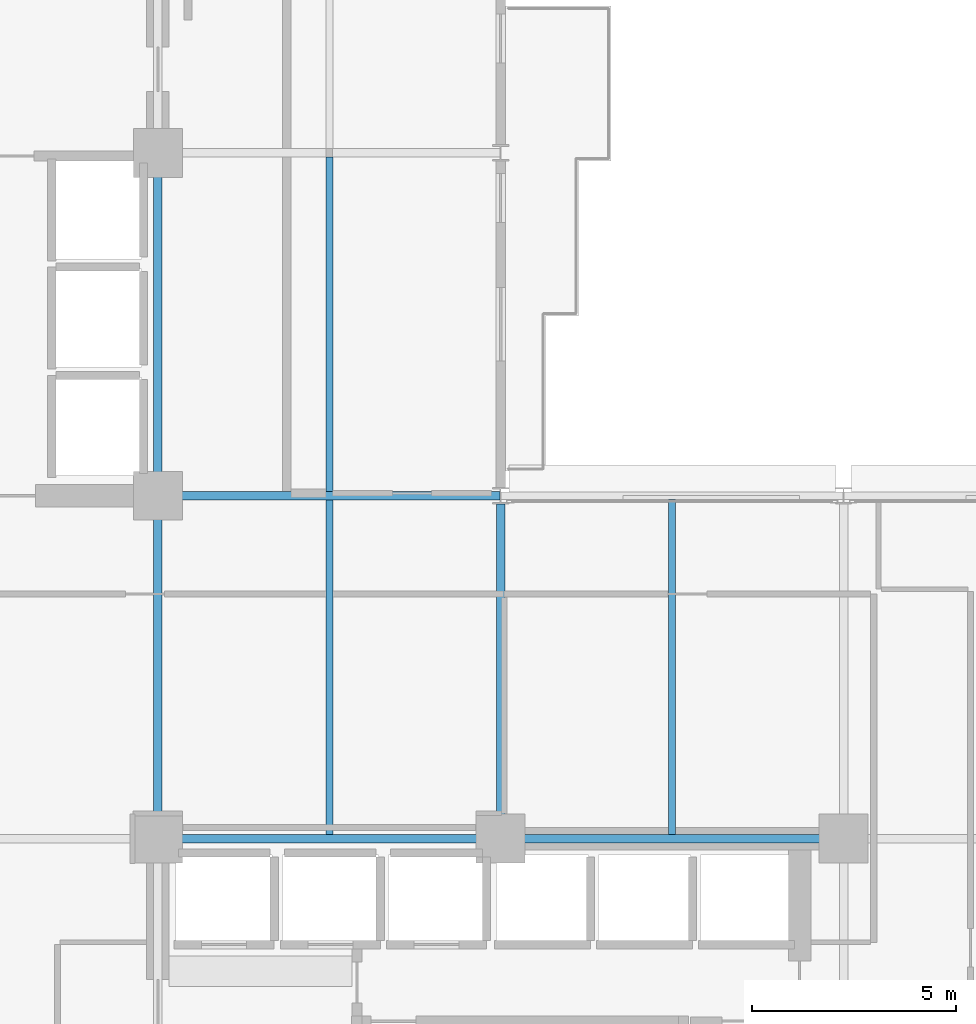
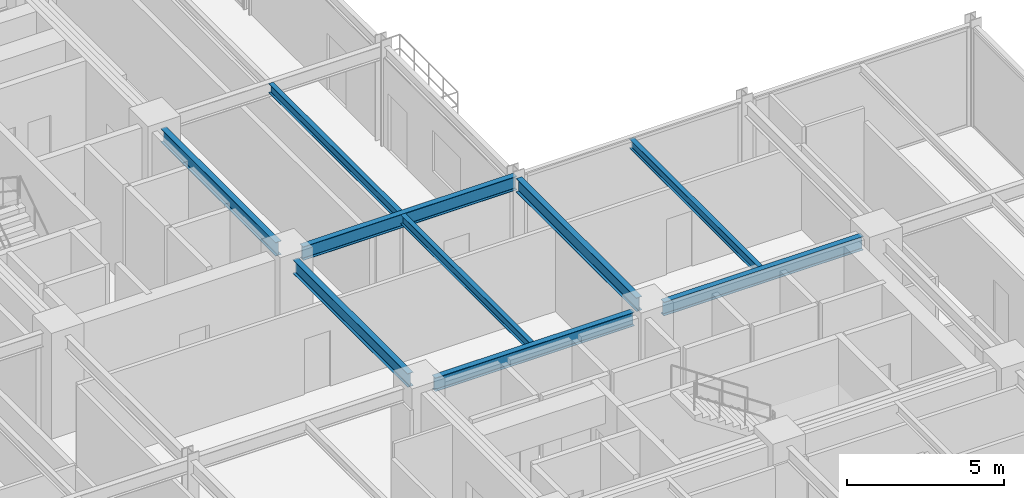
# One storey, part 11 of 30: 9 beams.
"""IFC4 building model written with IfcOpenShell, lengths in metres."""

from ifc_helpers import new_model, si_unit, direction, frame, origin, origin_2d, place, context, subcontext, project, spatial, i_section, extrude, material, material_profile, profile_set, type_object, element, save


model = new_model("IFC4")

# Units and contexts
model_context = context("Model", 3, precision=1e-05, world=origin(), true_north=direction((0.0, 1.0)))
body_context = subcontext(model_context, "Body", "Model", "MODEL_VIEW")
ifc_project = project(units=[si_unit("LENGTHUNIT", "METRE"), si_unit("AREAUNIT", "SQUARE_METRE"), si_unit("VOLUMEUNIT", "CUBIC_METRE"), si_unit("PLANEANGLEUNIT", "RADIAN"), si_unit("MASSUNIT", "GRAM", prefix="KILO")], contexts=[model_context])

# Site, building, storey
site_placement = place(None, origin())
site = spatial("IfcSite", under=ifc_project, at=site_placement, CompositionType="ELEMENT")
building_placement = place(site_placement, origin())
building = spatial("IfcBuilding", under=site, at=building_placement, Name="Nerrivon Quay Data Exchange", CompositionType="ELEMENT")
storey_placement = place(building_placement, frame((0.0, 0.0, 117.199951171875)))
storey = spatial("IfcBuildingStorey", under=building, at=storey_placement, Name="L27", CompositionType="ELEMENT", Elevation=117.199951171875)

# Beams
ifc_material = material(Name="Steel Grade 350", Category="steel")
ifc_material_profile_1 = material_profile(ifc_material, i_section(OverallWidth=0.208984375, OverallDepth=0.532958984375, WebThickness=0.01025390625, FlangeThickness=0.015625, FilletRadius=0.013916015625, at=origin_2d()), Name="530UB92.4")
ifc_profile_set_1 = profile_set([ifc_material_profile_1], Name="Steel Grade 350")
beam_type_1 = type_object("IfcBeamType", Name="BM-G3-530UB92", PredefinedType="BEAM", material=ifc_profile_set_1)
beam_1_placement = place(storey_placement, frame((17.340087890625, 16.800048828125, 3.55859375), z_axis=(1.0, 0.0, 0.0), x_axis=(0.0, 1.0, 0.0)))
element("IfcBeam", 1, at=beam_1_placement, inside=storey, type_object=beam_type_1, Name="L27 EW Girder Y=16.8 (16.8..25.2)", PredefinedType="BEAM", context=body_context, shape_type="SweptSolid", body=[
    extrude(i_section(OverallWidth=0.208984375, OverallDepth=0.532958984375, WebThickness=0.01025390625, FlangeThickness=0.015625, FilletRadius=0.013916015625, at=origin_2d()), origin(), (0.0, 0.0, 1.0), 7.31982421875),
])
beam_2_placement = place(storey_placement, frame((25.739990234375, 16.800048828125, 3.55859375), z_axis=(1.0, 0.0, 0.0), x_axis=(0.0, 1.0, 0.0)))
element("IfcBeam", 2, at=beam_2_placement, inside=storey, type_object=beam_type_1, Name="L27 EW Girder Y=16.8 (25.2..33.6)", PredefinedType="BEAM", context=body_context, shape_type="SweptSolid", body=[
    extrude(i_section(OverallWidth=0.208984375, OverallDepth=0.532958984375, WebThickness=0.01025390625, FlangeThickness=0.015625, FilletRadius=0.013916015625, at=origin_2d()), origin(), (0.0, 0.0, 1.0), 7.320068359375),
])
beam_3_placement = place(storey_placement, frame((17.340087890625, 25.199951171875, 3.55859375), z_axis=(1.0, 0.0, 0.0), x_axis=(0.0, 1.0, 0.0)))
element("IfcBeam", 3, at=beam_3_placement, inside=storey, type_object=beam_type_1, Name="L27 EW Girder Y=25.2 (16.8..25.2)", PredefinedType="BEAM", context=body_context, shape_type="SweptSolid", body=[
    extrude(i_section(OverallWidth=0.208984375, OverallDepth=0.532958984375, WebThickness=0.01025390625, FlangeThickness=0.015625, FilletRadius=0.013916015625, at=origin_2d()), origin(), (0.0, 0.0, 1.0), 7.847412109375),
])
ifc_material_profile_2 = material_profile(ifc_material, i_section(OverallWidth=0.208984375, OverallDepth=0.528076171875, WebThickness=0.009521484375, FlangeThickness=0.01318359375, FilletRadius=0.013916015625, at=origin_2d()), Name="530UB82.0")
ifc_profile_set_2 = profile_set([ifc_material_profile_2], Name="Steel Grade 350")
beam_type_2 = type_object("IfcBeamType", Name="BM-G4-530UB82", PredefinedType="BEAM", material=ifc_profile_set_2)
beam_4_placement = place(storey_placement, frame((16.800048828125, 17.340087890625, 3.56103515625), z_axis=(0.0, 1.0, 0.0), x_axis=(-1.0, 0.0, 0.0)))
element("IfcBeam", 4, at=beam_4_placement, inside=storey, type_object=beam_type_2, Name="L27 NS Girder X=16.8 (16.8..25.2)", PredefinedType="BEAM", context=body_context, shape_type="SweptSolid", body=[
    extrude(i_section(OverallWidth=0.208984375, OverallDepth=0.528076171875, WebThickness=0.009521484375, FlangeThickness=0.01318359375, FilletRadius=0.013916015625, at=origin_2d()), origin(), (0.0, 0.0, 1.0), 7.31982421875),
])
beam_5_placement = place(storey_placement, frame((16.800048828125, 25.739990234375, 3.56103515625), z_axis=(0.0, 1.0, 0.0), x_axis=(-1.0, 0.0, 0.0)))
element("IfcBeam", 5, at=beam_5_placement, inside=storey, type_object=beam_type_2, Name="L27 NS Girder X=16.8 (25.2..33.6)", PredefinedType="BEAM", context=body_context, shape_type="SweptSolid", body=[
    extrude(i_section(OverallWidth=0.208984375, OverallDepth=0.528076171875, WebThickness=0.009521484375, FlangeThickness=0.01318359375, FilletRadius=0.013916015625, at=origin_2d()), origin(), (0.0, 0.0, 1.0), 7.320068359375),
])
beam_6_placement = place(storey_placement, frame((25.199951171875, 17.340087890625, 3.56103515625), z_axis=(0.0, 1.0, 0.0), x_axis=(-1.0, 0.0, 0.0)))
element("IfcBeam", 6, at=beam_6_placement, inside=storey, type_object=beam_type_2, Name="L27 NS Girder X=25.2 (16.8..25.2)", PredefinedType="BEAM", context=body_context, shape_type="SweptSolid", body=[
    extrude(i_section(OverallWidth=0.208984375, OverallDepth=0.528076171875, WebThickness=0.009521484375, FlangeThickness=0.01318359375, FilletRadius=0.013916015625, at=origin_2d()), origin(), (0.0, 0.0, 1.0), 7.659912109375),
])
ifc_material_profile_3 = material_profile(ifc_material, i_section(OverallWidth=0.1708984375, OverallDepth=0.35595703125, WebThickness=0.00732421875, FlangeThickness=0.011474609375, FilletRadius=0.011474609375, at=origin_2d()), Name="360UB50.7")
ifc_profile_set_3 = profile_set([ifc_material_profile_3], Name="Steel Grade 350")
beam_type_3 = type_object("IfcBeamType", Name="BM-J4-360UB51", PredefinedType="JOIST", material=ifc_profile_set_3)
beam_7_placement = place(storey_placement, frame((21.0, 16.904541015625, 3.64697265625), z_axis=(0.0, 1.0, 0.0), x_axis=(-1.0, 0.0, 0.0)))
element("IfcBeam", 7, at=beam_7_placement, inside=storey, type_object=beam_type_3, Name="L27 Secondary Joist X=21.0 (16.8..25.2)", PredefinedType="JOIST", context=body_context, shape_type="SweptSolid", body=[
    extrude(i_section(OverallWidth=0.1708984375, OverallDepth=0.35595703125, WebThickness=0.00732421875, FlangeThickness=0.011474609375, FilletRadius=0.011474609375, at=origin_2d()), origin(), (0.0, 0.0, 1.0), 8.19091796875),
])
beam_8_placement = place(storey_placement, frame((21.0, 25.304443359375, 3.64697265625), z_axis=(0.0, 1.0, 0.0), x_axis=(-1.0, 0.0, 0.0)))
element("IfcBeam", 8, at=beam_8_placement, inside=storey, type_object=beam_type_3, Name="L27 Secondary Joist X=21.0 (25.2..33.6)", PredefinedType="JOIST", context=body_context, shape_type="SweptSolid", body=[
    extrude(i_section(OverallWidth=0.1708984375, OverallDepth=0.35595703125, WebThickness=0.00732421875, FlangeThickness=0.011474609375, FilletRadius=0.011474609375, at=origin_2d()), origin(), (0.0, 0.0, 1.0), 8.191162109375),
])
beam_9_placement = place(storey_placement, frame((29.39990234375, 16.904541015625, 3.64697265625), z_axis=(0.0, 1.0, 0.0), x_axis=(-1.0, 0.0, 0.0)))
element("IfcBeam", 9, at=beam_9_placement, inside=storey, type_object=beam_type_3, Name="L27 Secondary Joist X=29.4 (16.8..25.2)", PredefinedType="JOIST", context=body_context, shape_type="SweptSolid", body=[
    extrude(i_section(OverallWidth=0.1708984375, OverallDepth=0.35595703125, WebThickness=0.00732421875, FlangeThickness=0.011474609375, FilletRadius=0.011474609375, at=origin_2d()), origin(), (0.0, 0.0, 1.0), 8.20654296875),
])

save(model, "model.ifc")
